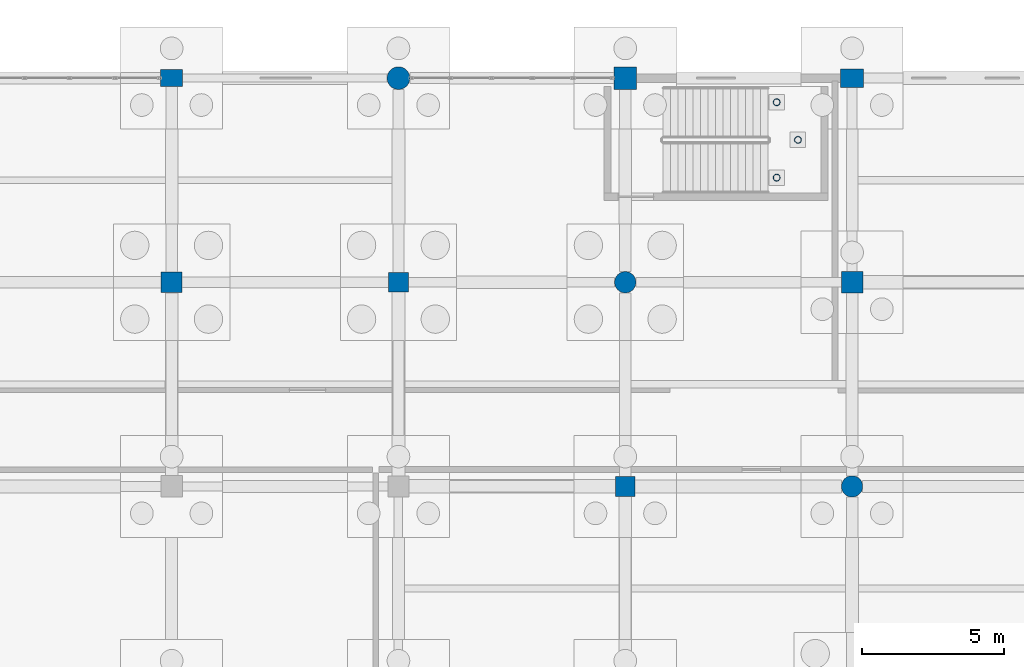
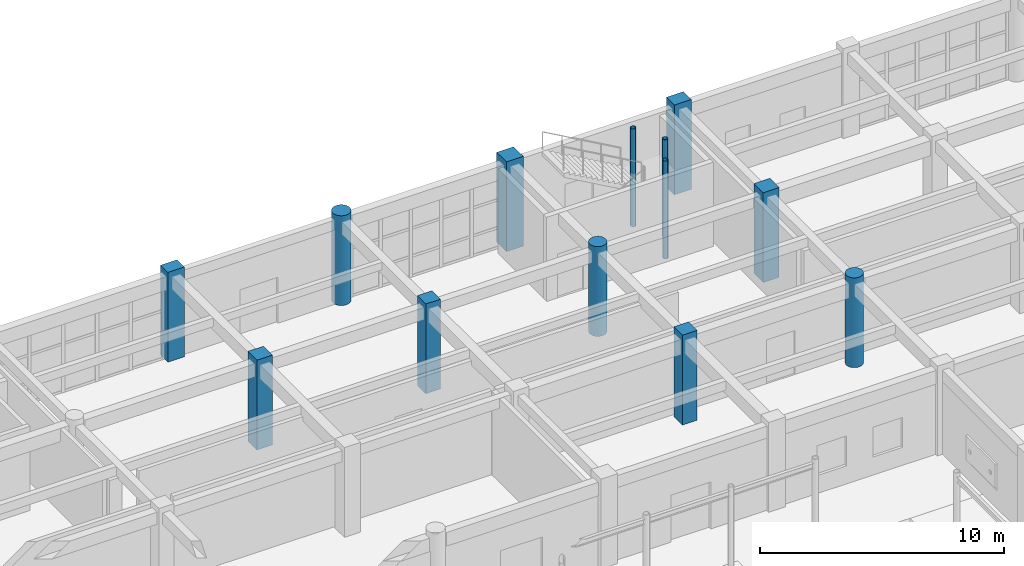
# One storey, part 48 of 166: 13 columns.
"""IFC4 building model written with IfcOpenShell, lengths in metres."""

import ifcopenshell
import ifcopenshell.guid

model = None  # the IFC model being written
_history = None  # IfcOwnerHistory: only IFC2X3 demands one
_inside = {}  # id of a spatial element -> (the spatial element, [elements in it])
_under = {}  # id of a project, library or spatial element -> (it, [spatial elements below it])
_declared = {}  # id of a project -> (the project, [libraries it declares])
_typed = {}  # id of a type object -> (the type object, [elements of that type])
_made_of = {}  # id of a material, layer set ... -> (it, [elements and type objects made of it])


def new_model(schema):
    """Start an empty IFC model of exactly this schema.

    Asked for "IFC4X3", IfcOpenShell would pick the latest addendum, in which some entities
    have other attributes; the version numbers below select the first issue.
    IFC2X3 requires an IfcOwnerHistory on every rooted entity: one is made here for all.
    """
    global model, _history
    if schema == "IFC4X3":
        model = ifcopenshell.file(schema_version=(4, 3, 0, 0))
    else:
        model = ifcopenshell.file(schema=schema)
    _inside.clear()
    _under.clear()
    _declared.clear()
    _typed.clear()
    _made_of.clear()
    _history = None
    if model.schema == "IFC2X3":
        org = make("IfcOrganization", Name="unknown")
        user = make(
            "IfcPersonAndOrganization",
            ThePerson=make("IfcPerson", FamilyName="unknown"),
            TheOrganization=org,
        )
        app = make(
            "IfcApplication",
            ApplicationDeveloper=org,
            Version="unknown",
            ApplicationFullName="unknown",
            ApplicationIdentifier="unknown",
        )
        _history = make(
            "IfcOwnerHistory",
            OwningUser=user,
            OwningApplication=app,
            ChangeAction="ADDED",
            CreationDate=0,
        )
    return model


def make(cls, **values):
    """One entity of the class cls with the attributes given. An attribute that is None is left unset."""
    return model.create_entity(
        cls, **{name: value for name, value in values.items() if value is not None}
    )


def rooted(cls, **values):
    """An entity with a GlobalId (a new one), such as an element, a storey or a relation."""
    return make(cls, GlobalId=ifcopenshell.guid.new(), OwnerHistory=_history, **values)


def si_unit(unit_type, name, prefix=None):
    """IfcSIUnit, for example si_unit("LENGTHUNIT", "METRE", prefix="MILLI")."""
    return make("IfcSIUnit", UnitType=unit_type, Prefix=prefix, Name=name)


def assignment(units):
    """IfcUnitAssignment: the units of a project."""
    return None if units is None else make("IfcUnitAssignment", Units=units)


def point(xyz):
    """IfcCartesianPoint."""
    return None if xyz is None else make("IfcCartesianPoint", Coordinates=xyz)


def direction(xyz):
    """IfcDirection."""
    return None if xyz is None else make("IfcDirection", DirectionRatios=xyz)


def frame(location, z_axis=None, x_axis=None):
    """IfcAxis2Placement3D, a coordinate frame: its origin and axes. An axis left out is left unset."""
    return make(
        "IfcAxis2Placement3D",
        Location=point(location),
        Axis=direction(z_axis),
        RefDirection=direction(x_axis),
    )


def frame_2d(location, x_axis=None):
    """IfcAxis2Placement2D, a coordinate frame in the plane: its origin and x axis."""
    return make(
        "IfcAxis2Placement2D", Location=point(location), RefDirection=direction(x_axis)
    )


def origin():
    """The frame at (0, 0, 0) with its axes left unset."""
    return frame((0.0, 0.0, 0.0))


def origin_2d():
    """The frame at (0, 0) in the plane with its x axis left unset."""
    return frame_2d((0.0, 0.0))


def place(relative_to, where):
    """IfcLocalPlacement: puts the frame where relative to a parent placement (None: the world)."""
    return make(
        "IfcLocalPlacement", PlacementRelTo=relative_to, RelativePlacement=where
    )


def context(
    kind, dimensions, precision=None, world=None, true_north=None, identifier=None
):
    """IfcGeometricRepresentationContext, for example the 3D "Model" context."""
    return make(
        "IfcGeometricRepresentationContext",
        ContextIdentifier=identifier,
        ContextType=kind,
        CoordinateSpaceDimension=dimensions,
        Precision=precision,
        WorldCoordinateSystem=world,
        TrueNorth=true_north,
    )


def subcontext(parent, identifier, kind, view, scale=None):
    """IfcGeometricRepresentationSubContext, for example "Body" below "Model"."""
    return make(
        "IfcGeometricRepresentationSubContext",
        ContextIdentifier=identifier,
        ContextType=kind,
        ParentContext=parent,
        TargetScale=scale,
        TargetView=view,
    )


def project(units=None, contexts=None):
    """IfcProject with its units and contexts."""
    return rooted(
        "IfcProject",
        Name="project",
        RepresentationContexts=contexts,
        UnitsInContext=assignment(units),
    )


def spatial(cls, under=None, at=None, **own):
    """A site, building, storey or space (cls), placed at a placement, below another one or the project."""
    s = rooted(cls, ObjectPlacement=at, **own)
    if under is not None:
        _under.setdefault(under.id(), (under, []))[1].append(s)
    return s


def profile(cls, at=None, kind="AREA", **sizes):
    """A parametric profile (cls). Its sizes go by their IFC names, for example OverallWidth=200.0."""
    return make(cls, ProfileType=kind, Position=at, **sizes)


def rectangle(**sizes):
    """IfcRectangleProfileDef."""
    return profile("IfcRectangleProfileDef", **sizes)


def circle(**sizes):
    """IfcCircleProfileDef."""
    return profile("IfcCircleProfileDef", **sizes)


def hollow_circle(**sizes):
    """IfcCircleHollowProfileDef."""
    return profile("IfcCircleHollowProfileDef", **sizes)


def extrude(swept, where, along, depth):
    """IfcExtrudedAreaSolid: the profile swept, set in the frame where, extruded along a direction by depth."""
    return make(
        "IfcExtrudedAreaSolid",
        SweptArea=swept,
        Position=where,
        ExtrudedDirection=direction(along),
        Depth=depth,
    )


def shape(context_of_items, identifier, shape_type, items):
    """IfcShapeRepresentation: the items that make up one representation, for example the "Body"."""
    return make(
        "IfcShapeRepresentation",
        ContextOfItems=context_of_items,
        RepresentationIdentifier=identifier,
        RepresentationType=shape_type,
        Items=items,
    )


def material(Name=None, Category=None):
    """IfcMaterial."""
    return make("IfcMaterial", Name=Name, Category=Category)


def material_profile(
    of_material, cross_section, Name=None, Category=None, Priority=None
):
    """IfcMaterialProfile: a cross section and its material."""
    return make(
        "IfcMaterialProfile",
        Name=Name,
        Material=of_material,
        Profile=cross_section,
        Priority=Priority,
        Category=Category,
    )


def profile_set(profiles, Name=None, composite=None):
    """IfcMaterialProfileSet."""
    return make(
        "IfcMaterialProfileSet",
        Name=Name,
        MaterialProfiles=profiles,
        CompositeProfile=composite,
    )


def made_of(thing, what):
    """Note that an element or type object is made of a material, layer set ...; save() writes the relation."""
    if what is not None:
        _made_of.setdefault(what.id(), (what, []))[1].append(thing)
    return thing


def type_object(cls, material=None, **own):
    """A type object (cls), such as IfcWallType, which elements share."""
    return made_of(rooted(cls, **own), material)


def element(
    cls,
    number,
    at=None,
    inside=None,
    cuts=None,
    type_object=None,
    material=None,
    context=None,
    identifier="Body",
    shape_type=None,
    held_by="IfcProductDefinitionShape",
    body=None,
    shapes=None,
    **own,
):
    """One element of the class cls, such as IfcWall. Its Tag is "e" and its number.

    at: its placement. inside: the storey or other place that contains it. cuts: it is an
    opening in that element (IfcRelVoidsElement). A single representation is given by context,
    identifier, shape_type and body (its items); several are given by shapes. held_by: the class
    of the entity that holds the representations. save() writes the other relations.
    """
    e = rooted(cls, Tag="e%d" % number, ObjectPlacement=at, **own)
    if body is not None:
        shapes = [shape(context, identifier, shape_type, body)]
    if shapes is not None:
        e.Representation = make(held_by, Representations=shapes)
    if inside is not None:
        _inside.setdefault(inside.id(), (inside, []))[1].append(e)
    if cuts is not None:
        rooted(
            "IfcRelVoidsElement", RelatingBuildingElement=cuts, RelatedOpeningElement=e
        )
    if type_object is not None:
        _typed.setdefault(type_object.id(), (type_object, []))[1].append(e)
    return made_of(e, material)


def aggregate(whole, parts):
    """IfcRelAggregates: a whole, such as a stair, and the parts it consists of."""
    return rooted("IfcRelAggregates", RelatingObject=whole, RelatedObjects=parts)


def save(model, path):
    """Write the relations noted so far, then the file.

    IfcRelAggregates (storeys below a building ...), IfcRelContainedInSpatialStructure (elements
    in a storey), IfcRelDefinesByType, IfcRelAssociatesMaterial and IfcRelDeclares: one each for
    every whole, place, type object, material and project.
    """
    for whole, parts in _under.values():
        aggregate(whole, parts)
    for where, things in _inside.values():
        rooted(
            "IfcRelContainedInSpatialStructure",
            RelatedElements=things,
            RelatingStructure=where,
        )
    for kind, things in _typed.values():
        rooted("IfcRelDefinesByType", RelatedObjects=things, RelatingType=kind)
    for what, things in _made_of.values():
        rooted("IfcRelAssociatesMaterial", RelatedObjects=things, RelatingMaterial=what)
    for by, libraries in _declared.values():
        rooted("IfcRelDeclares", RelatingContext=by, RelatedDefinitions=libraries)
    model.write(path)


model = new_model("IFC4")

# Units and contexts
model_context = context("Model", 3, precision=1e-05, world=origin(), true_north=direction((0.0, 1.0)))
body_context = subcontext(model_context, "Body", "Model", "MODEL_VIEW")
ifc_project = project(units=[si_unit("LENGTHUNIT", "METRE"), si_unit("AREAUNIT", "SQUARE_METRE"), si_unit("VOLUMEUNIT", "CUBIC_METRE"), si_unit("PLANEANGLEUNIT", "RADIAN"), si_unit("MASSUNIT", "GRAM", prefix="KILO")], contexts=[model_context])

# Site, building, storey
site_placement = place(None, origin())
site = spatial("IfcSite", under=ifc_project, at=site_placement, CompositionType="ELEMENT")
building_placement = place(site_placement, origin())
building = spatial("IfcBuilding", under=site, at=building_placement, Name="Kharva Crest Polytechnic", CompositionType="ELEMENT")
storey_placement = place(building_placement, origin())
storey = spatial("IfcBuildingStorey", under=building, at=storey_placement, Name="L00", CompositionType="ELEMENT", Elevation=0.0)

# Columns
ifc_material_1 = material(Name="Concrete C40/50", Category="concrete")
ifc_material_profile_1 = material_profile(ifc_material_1, rectangle(XDim=0.780029296875, YDim=0.60009765625, at=origin_2d()), Name="RECT 780 X 600")
ifc_profile_set_1 = profile_set([ifc_material_profile_1], Name="Concrete C40/50")
column_type_1 = type_object("IfcColumnType", Name="COL-EXT-780X600", PredefinedType="COLUMN", material=ifc_profile_set_1)
column_1_placement = place(storey_placement, frame((128.800048828125, 122.0, 0.0), z_axis=(0.0, 0.0, 1.0), x_axis=(1.0, 0.0, 0.0)))
element("IfcColumn", 1, at=column_1_placement, inside=storey, type_object=column_type_1, Name="L00 Column 17/S", PredefinedType="COLUMN", context=body_context, shape_type="SweptSolid", body=[
    extrude(rectangle(XDim=0.780029296875, YDim=0.60009765625, at=origin_2d()), origin(), (0.0, 0.0, 1.0), 4.5),
])
ifc_material_profile_2 = material_profile(ifc_material_1, rectangle(XDim=0.800048828125, YDim=0.64990234375, at=origin_2d()), Name="RECT 800 X 650")
ifc_profile_set_2 = profile_set([ifc_material_profile_2], Name="Concrete C40/50")
column_type_2 = type_object("IfcColumnType", Name="COL-EXT-800X650", PredefinedType="COLUMN", material=ifc_profile_set_2)
column_2_placement = place(storey_placement, frame((152.800048828125, 122.0, 0.0), z_axis=(0.0, 0.0, 1.0), x_axis=(1.0, 0.0, 0.0)))
element("IfcColumn", 2, at=column_2_placement, inside=storey, type_object=column_type_2, Name="L00 Column 20/S", PredefinedType="COLUMN", context=body_context, shape_type="SweptSolid", body=[
    extrude(rectangle(XDim=0.800048828125, YDim=0.64990234375, at=origin_2d()), origin(), (0.0, 0.0, 1.0), 4.5),
])
ifc_material_profile_3 = material_profile(ifc_material_1, rectangle(XDim=0.800048828125, YDim=0.800048828125, at=origin_2d()), Name="RECT 800 X 800")
ifc_profile_set_3 = profile_set([ifc_material_profile_3], Name="Concrete C40/50")
column_type_3 = type_object("IfcColumnType", Name="COL-EXT-800X800", PredefinedType="COLUMN", material=ifc_profile_set_3)
column_3_placement = place(storey_placement, frame((144.800048828125, 122.0, 0.0), z_axis=(0.0, 0.0, 1.0), x_axis=(1.0, 0.0, 0.0)))
element("IfcColumn", 3, at=column_3_placement, inside=storey, type_object=column_type_3, Name="L00 Column 19/S", PredefinedType="COLUMN", context=body_context, shape_type="SweptSolid", body=[
    extrude(rectangle(XDim=0.800048828125, YDim=0.800048828125, at=origin_2d()), origin(), (0.0, 0.0, 1.0), 4.5),
])
ifc_material_profile_4 = material_profile(ifc_material_1, circle(Radius=0.39990234375, at=origin_2d()), Name="DIA 800")
ifc_profile_set_4 = profile_set([ifc_material_profile_4], Name="Concrete C40/50")
column_type_4 = type_object("IfcColumnType", Name="COL-EXT-DIA800", PredefinedType="COLUMN", material=ifc_profile_set_4)
column_4_placement = place(storey_placement, frame((136.800048828125, 122.0, 0.0), z_axis=(0.0, 0.0, 1.0), x_axis=(1.0, 0.0, 0.0)))
element("IfcColumn", 4, at=column_4_placement, inside=storey, type_object=column_type_4, Name="L00 Column 18/S", PredefinedType="COLUMN", context=body_context, shape_type="SweptSolid", body=[
    extrude(circle(Radius=0.39990234375, at=origin_2d()), origin(), (0.0, 0.0, 1.0), 4.5),
])
ifc_material_profile_5 = material_profile(ifc_material_1, rectangle(XDim=0.699951171875, YDim=0.699951171875, at=origin_2d()), Name="RECT 700 X 700")
ifc_profile_set_5 = profile_set([ifc_material_profile_5], Name="Concrete C40/50")
column_type_5 = type_object("IfcColumnType", Name="COL-INT-700X700", PredefinedType="COLUMN", material=ifc_profile_set_5)
for number, where, z_axis, x_axis, name in (
    (5, (136.800048828125, 114.800048828125, 0.0), (0.0, 0.0, 1.0), (1.0, 0.0, 0.0), "L00 Column 18/R"),
    (6, (144.800048828125, 107.60009765625, 0.0), (0.0, 0.0, 1.0), (1.0, 0.0, 0.0), "L00 Column 19/Q"),
):
    element("IfcColumn", number, at=place(storey_placement, frame(where, z_axis=z_axis, x_axis=x_axis)), inside=storey, type_object=column_type_5, Name=name, PredefinedType="COLUMN", context=body_context, shape_type="SweptSolid", body=[
        extrude(rectangle(XDim=0.699951171875, YDim=0.699951171875, at=origin_2d()), origin(), (0.0, 0.0, 1.0), 4.5),
    ])
ifc_material_profile_6 = material_profile(ifc_material_1, rectangle(XDim=0.739990234375, YDim=0.739990234375, at=origin_2d()), Name="RECT 740 X 740")
ifc_profile_set_6 = profile_set([ifc_material_profile_6], Name="Concrete C40/50")
column_type_6 = type_object("IfcColumnType", Name="COL-INT-740X740", PredefinedType="COLUMN", material=ifc_profile_set_6)
column_5_placement = place(storey_placement, frame((128.800048828125, 114.800048828125, 0.0), z_axis=(0.0, 0.0, 1.0), x_axis=(1.0, 0.0, 0.0)))
element("IfcColumn", 7, at=column_5_placement, inside=storey, type_object=column_type_6, Name="L00 Column 17/R", PredefinedType="COLUMN", context=body_context, shape_type="SweptSolid", body=[
    extrude(rectangle(XDim=0.739990234375, YDim=0.739990234375, at=origin_2d()), origin(), (0.0, 0.0, 1.0), 4.5),
])
ifc_material_profile_7 = material_profile(ifc_material_1, rectangle(XDim=0.760009765625, YDim=0.760009765625, at=origin_2d()), Name="RECT 760 X 760")
ifc_profile_set_7 = profile_set([ifc_material_profile_7], Name="Concrete C40/50")
column_type_7 = type_object("IfcColumnType", Name="COL-INT-760X760", PredefinedType="COLUMN", material=ifc_profile_set_7)
column_6_placement = place(storey_placement, frame((152.800048828125, 114.800048828125, 0.0), z_axis=(0.0, 0.0, 1.0), x_axis=(1.0, 0.0, 0.0)))
element("IfcColumn", 8, at=column_6_placement, inside=storey, type_object=column_type_7, Name="L00 Column 20/R", PredefinedType="COLUMN", context=body_context, shape_type="SweptSolid", body=[
    extrude(rectangle(XDim=0.760009765625, YDim=0.760009765625, at=origin_2d()), origin(), (0.0, 0.0, 1.0), 4.5),
])
ifc_material_profile_8 = material_profile(ifc_material_1, circle(Radius=0.375, at=origin_2d()), Name="DIA 750")
ifc_profile_set_8 = profile_set([ifc_material_profile_8], Name="Concrete C40/50")
column_type_8 = type_object("IfcColumnType", Name="COL-INT-DIA750", PredefinedType="COLUMN", material=ifc_profile_set_8)
for number, where, z_axis, x_axis, name in (
    (9, (144.800048828125, 114.800048828125, 0.0), (0.0, 0.0, 1.0), (1.0, 0.0, 0.0), "L00 Column 19/R"),
    (10, (152.800048828125, 107.60009765625, 0.0), (0.0, 0.0, 1.0), (1.0, 0.0, 0.0), "L00 Column 20/Q"),
):
    element("IfcColumn", number, at=place(storey_placement, frame(where, z_axis=z_axis, x_axis=x_axis)), inside=storey, type_object=column_type_8, Name=name, PredefinedType="COLUMN", context=body_context, shape_type="SweptSolid", body=[
        extrude(circle(Radius=0.375, at=origin_2d()), origin(), (0.0, 0.0, 1.0), 4.5),
    ])
ifc_material_2 = material(Name="Steel S355", Category="steel")
ifc_material_profile_9 = material_profile(ifc_material_2, hollow_circle(Radius=0.122314453125, WallThickness=0.010009765625, at=origin_2d()), Name="CHS 244.5X10.0")
ifc_profile_set_9 = profile_set([ifc_material_profile_9], Name="Steel S355")
column_type_9 = type_object("IfcColumnType", Name="COL-STL-CHS244", PredefinedType="COLUMN", material=ifc_profile_set_9)
for number, where, z_axis, x_axis, name in (
    (11, (150.139892578125, 118.489990234375, -0.405029296875), (0.0, 0.0, 1.0), (1.0, 0.0, 0.0), "L00 Stair ST-09 Landing Support Column SW"),
    (12, (150.139892578125, 121.14990234375, -0.405029296875), (0.0, 0.0, 1.0), (1.0, 0.0, 0.0), "L00 Stair ST-09 Landing Support Column NW"),
    (13, (150.889892578125, 119.820068359375, -0.405029296875), (0.0, 0.0, 1.0), (1.0, 0.0, 0.0), "L00 Stair ST-09 Landing Support Column EM"),
):
    element("IfcColumn", number, at=place(storey_placement, frame(where, z_axis=z_axis, x_axis=x_axis)), inside=storey, type_object=column_type_9, Name=name, PredefinedType="COLUMN", context=body_context, shape_type="SweptSolid", body=[
        extrude(hollow_circle(Radius=0.122314453125, WallThickness=0.010009765625, at=origin_2d()), origin(), (0.0, 0.0, 1.0), 4.905029296875),
    ])

save(model, "model.ifc")
